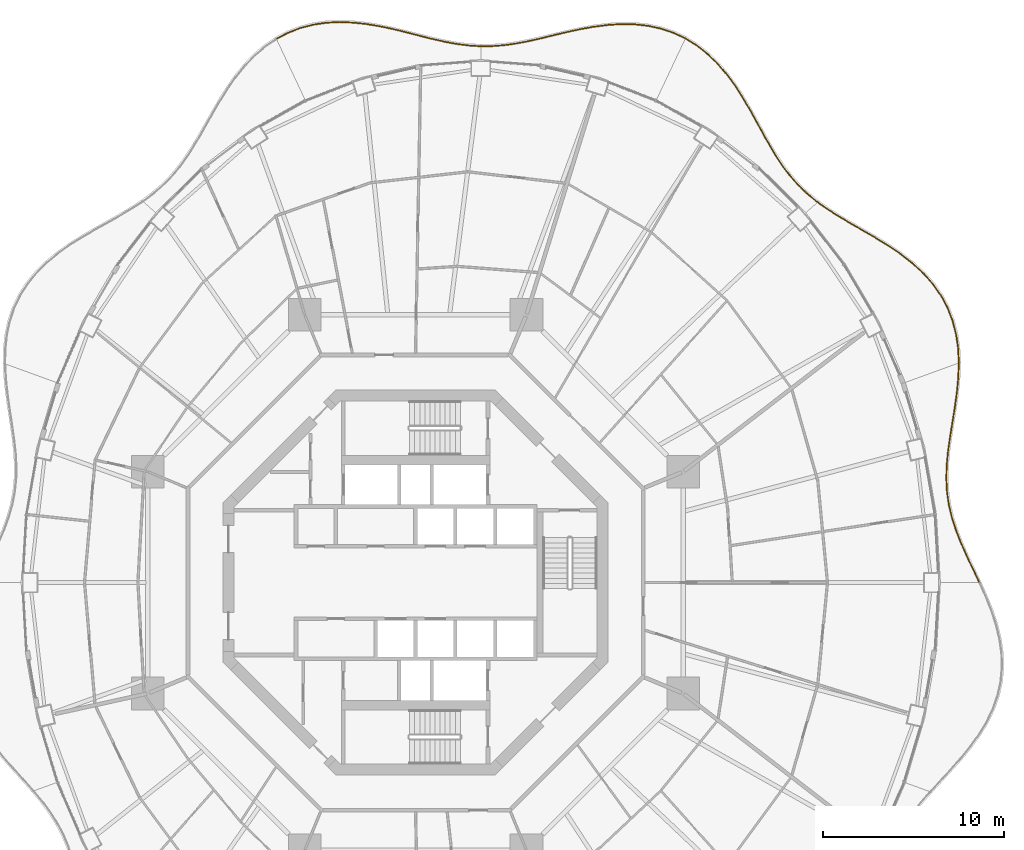
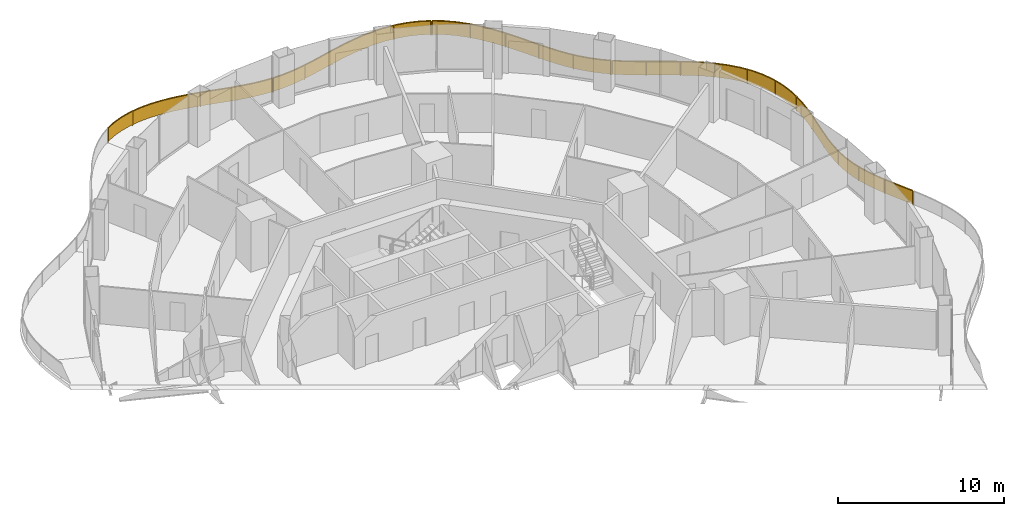
# One storey, part 19 of 19: 5 railings.
"""IFC4 building model written with IfcOpenShell, lengths in metres."""

from ifc_helpers import new_model, si_unit, direction, frame, origin, origin_2d, place, context, subcontext, project, spatial, polyline, rectangle, outline, extrude, material, type_object, element, save


model = new_model("IFC4")

# Units and contexts
model_context = context("Model", 3, precision=1e-05, world=origin(), true_north=direction((0.0, 1.0)))
body_context = subcontext(model_context, "Body", "Model", "MODEL_VIEW")
ifc_project = project(units=[si_unit("LENGTHUNIT", "METRE"), si_unit("AREAUNIT", "SQUARE_METRE"), si_unit("VOLUMEUNIT", "CUBIC_METRE"), si_unit("PLANEANGLEUNIT", "RADIAN"), si_unit("MASSUNIT", "GRAM", prefix="KILO")], contexts=[model_context])

# Site, building, storey
site_placement = place(None, origin())
site = spatial("IfcSite", under=ifc_project, at=site_placement, CompositionType="ELEMENT")
building_placement = place(site_placement, origin())
building = spatial("IfcBuilding", under=site, at=building_placement, Name="Nagisa Residences", CompositionType="ELEMENT")
storey_placement = place(building_placement, frame((0.0, 0.0, 177.0)))
storey = spatial("IfcBuildingStorey", under=building, at=storey_placement, Name="L44", CompositionType="ELEMENT", Elevation=177.0)

# Railings
ifc_material = material(Name="Stainless steel 316", Category="steel")
railing_type = type_object("IfcRailingType", Name="BALCONY GUARD 1100", PredefinedType="BALUSTRADE", material=ifc_material)
railing_1_placement = place(storey_placement, frame((31.109375, 0.0341796875, 0.0)))
element("IfcRailing", 1, at=railing_1_placement, inside=storey, type_object=railing_type, Name="guard:L44:bal00-0", PredefinedType="BALUSTRADE", context=body_context, shape_type="SweptSolid", body=[
    extrude(outline(polyline([(-0.35791015625, 0.694091796875), (-0.022705078125, -0.0107421875), (0.022705078125, 0.0107421875), (-0.3125, 0.715576171875), (-0.65771484375, 1.447265625), (-0.9775390625, 2.16650390625), (-1.256591796875, 2.876708984375), (-1.483154296875, 3.5830078125), (-1.646728515625, 4.276611328125), (-1.747314453125, 4.99072265625), (-1.783935546875, 5.71630859375), (-1.76171875, 6.457763671875), (-1.690185546875, 7.218017578125), (-1.5791015625, 7.984619140625), (-1.450439453125, 8.7841796875), (-1.319580078125, 9.600341796875), (-1.204833984375, 10.428466796875), (-1.125, 11.2626953125), (-1.096923828125, 12.048583984375), (-1.146728515625, 12.050537109375), (-1.1748046875, 11.26611328125), (-1.254638671875, 10.434326171875), (-1.368896484375, 9.607666015625), (-1.499755859375, 8.7919921875), (-1.62841796875, 7.991943359375), (-1.739990234375, 7.223876953125), (-1.8115234375, 6.460693359375), (-1.834228515625, 5.7158203125), (-1.797119140625, 4.98583984375), (-1.696044921875, 4.267333984375), (-1.531494140625, 3.56982421875), (-1.303955078125, 2.860107421875), (-1.02392578125, 2.14697265625), (-0.703125, 1.42626953125), (-0.35791015625, 0.694091796875)])), frame((0.0, 0.0, 1.050048828125)), (0.0, 0.0, 1.0), 0.050048828125),
    extrude(outline(polyline([(-0.341552734375, 0.701904296875), (-0.00634765625, -0.0029296875), (0.00634765625, 0.0029296875), (-0.328857421875, 0.707763671875), (-0.674072265625, 1.439697265625), (-0.994384765625, 2.159423828125), (-1.273681640625, 2.870849609375), (-1.50048828125, 3.578369140625), (-1.66455078125, 4.273193359375), (-1.76513671875, 4.989013671875), (-1.802001953125, 5.716064453125), (-1.779541015625, 6.458740234375), (-1.708251953125, 7.22021484375), (-1.596923828125, 7.9873046875), (-1.46826171875, 8.786865234375), (-1.33740234375, 9.60302734375), (-1.222900390625, 10.4306640625), (-1.142822265625, 11.263916015625), (-1.11474609375, 12.04931640625), (-1.12890625, 12.0498046875), (-1.156982421875, 11.264892578125), (-1.236572265625, 10.43212890625), (-1.35107421875, 9.60498046875), (-1.48193359375, 8.789306640625), (-1.610595703125, 7.9892578125), (-1.721923828125, 7.2216796875), (-1.793701171875, 6.459716796875), (-1.816162109375, 5.716064453125), (-1.779296875, 4.987548828125), (-1.67822265625, 4.270751953125), (-1.51416015625, 3.574462890625), (-1.286865234375, 2.865966796875), (-1.007080078125, 2.154052734375), (-0.686767578125, 1.433837890625), (-0.341552734375, 0.701904296875)])), frame((0.0, 0.0, 0.06005859375)), (0.0, 0.0, 1.0), 0.989990234375),
    extrude(rectangle(XDim=0.0400390625, YDim=0.0400390625, at=origin_2d()), origin(), (0.0, 0.0, 1.0), 1.050048828125),
    extrude(rectangle(XDim=0.0400390625, YDim=0.0400390625, at=origin_2d()), frame((-0.87646484375, 1.877197265625, 0.0)), (0.0, 0.0, 1.0), 1.050048828125),
    extrude(rectangle(XDim=0.0400390625, YDim=0.0400390625, at=origin_2d()), frame((-1.56640625, 3.8271484375, 0.0)), (0.0, 0.0, 1.0), 1.050048828125),
    extrude(rectangle(XDim=0.0400390625, YDim=0.0400390625, at=origin_2d()), frame((-1.80419921875, 5.878662109375, 0.0)), (0.0, 0.0, 1.0), 1.050048828125),
    extrude(rectangle(XDim=0.0400390625, YDim=0.0400390625, at=origin_2d()), frame((-1.61083984375, 7.939453125, 0.0)), (0.0, 0.0, 1.0), 1.050048828125),
    extrude(rectangle(XDim=0.0400390625, YDim=0.0400390625, at=origin_2d()), frame((-1.291259765625, 9.986328125, 0.0)), (0.0, 0.0, 1.0), 1.050048828125),
    extrude(rectangle(XDim=0.0400390625, YDim=0.0400390625, at=origin_2d()), frame((-1.121826171875, 12.049560546875, 0.0)), (0.0, 0.0, 1.0), 1.050048828125),
])
railing_2_placement = place(storey_placement, frame((29.988037109375, 12.160888671875, 0.0)))
element("IfcRailing", 2, at=railing_2_placement, inside=storey, type_object=railing_type, Name="guard:L44:bal01-0", PredefinedType="BALUSTRADE", context=body_context, shape_type="SweptSolid", body=[
    extrude(outline(polyline([(-0.057861328125, 0.7470703125), (-0.02490234375, -0.001220703125), (0.02490234375, 0.001220703125), (-0.008056640625, 0.751953125), (-0.119384765625, 1.53125), (-0.3125, 2.284912109375), (-0.59130859375, 3.005859375), (-0.955810546875, 3.6875), (-1.395263671875, 4.3125), (-1.91552734375, 4.90478515625), (-2.5, 5.451171875), (-3.135009765625, 5.953857421875), (-3.806640625, 6.418212890625), (-4.490478515625, 6.837646484375), (-5.188720703125, 7.246826171875), (-5.877685546875, 7.642578125), (-6.545654296875, 8.0361328125), (-7.181396484375, 8.438720703125), (-7.743896484375, 8.83544921875), (-7.772705078125, 8.79443359375), (-7.209228515625, 8.397216796875), (-6.571533203125, 7.99365234375), (-5.903076171875, 7.59912109375), (-5.213623046875, 7.203369140625), (-4.516357421875, 6.794677734375), (-3.833984375, 6.376220703125), (-3.164794921875, 5.913818359375), (-2.53271484375, 5.4130859375), (-1.95166015625, 4.8701171875), (-1.434814453125, 4.28173828125), (-0.998291015625, 3.6611328125), (-0.63671875, 2.98486328125), (-0.3603515625, 2.269775390625), (-0.168701171875, 1.521484375), (-0.057861328125, 0.7470703125)])), frame((0.0, 0.0, 1.050048828125)), (0.0, 0.0, 1.0), 0.050048828125),
    extrude(outline(polyline([(-0.0400390625, 0.748779296875), (-0.007080078125, -0.000244140625), (0.007080078125, 0.000244140625), (-0.02587890625, 0.750244140625), (-0.13720703125, 1.52783203125), (-0.329833984375, 2.279541015625), (-0.607666015625, 2.998291015625), (-0.97119140625, 3.677978515625), (-1.409423828125, 4.301513671875), (-1.928466796875, 4.892333984375), (-2.51171875, 5.4375), (-3.145751953125, 5.939453125), (-3.81640625, 6.403076171875), (-4.499755859375, 6.822265625), (-5.19775390625, 7.231201171875), (-5.886962890625, 7.626953125), (-6.554931640625, 8.020751953125), (-7.19140625, 8.423828125), (-7.754150390625, 8.820556640625), (-7.762451171875, 8.809326171875), (-7.19921875, 8.412109375), (-6.562255859375, 8.009033203125), (-5.893798828125, 7.61474609375), (-5.20458984375, 7.218994140625), (-4.507080078125, 6.81005859375), (-3.82421875, 6.391357421875), (-3.154052734375, 5.92822265625), (-2.52099609375, 5.4267578125), (-1.938720703125, 4.882568359375), (-1.420654296875, 4.292724609375), (-0.98291015625, 3.670654296875), (-0.620361328125, 2.992431640625), (-0.343017578125, 2.275146484375), (-0.15087890625, 1.52490234375), (-0.0400390625, 0.748779296875)])), frame((0.0, 0.0, 0.06005859375)), (0.0, 0.0, 1.0), 0.989990234375),
    extrude(rectangle(XDim=0.0400390625, YDim=0.0400390625, at=origin_2d()), origin(), (0.0, 0.0, 1.0), 1.050048828125),
    extrude(rectangle(XDim=0.0400390625, YDim=0.0400390625, at=origin_2d()), frame((-0.277587890625, 2.048095703125, 0.0)), (0.0, 0.0, 1.0), 1.050048828125),
    extrude(rectangle(XDim=0.0400390625, YDim=0.0400390625, at=origin_2d()), frame((-1.14794921875, 3.917236328125, 0.0)), (0.0, 0.0, 1.0), 1.050048828125),
    extrude(rectangle(XDim=0.0400390625, YDim=0.0400390625, at=origin_2d()), frame((-2.53662109375, 5.447998046875, 0.0)), (0.0, 0.0, 1.0), 1.050048828125),
    extrude(rectangle(XDim=0.0400390625, YDim=0.0400390625, at=origin_2d()), frame((-4.22607421875, 6.64599609375, 0.0)), (0.0, 0.0, 1.0), 1.050048828125),
    extrude(rectangle(XDim=0.0400390625, YDim=0.0400390625, at=origin_2d()), frame((-6.01513671875, 7.6943359375, 0.0)), (0.0, 0.0, 1.0), 1.050048828125),
    extrude(rectangle(XDim=0.0400390625, YDim=0.0400390625, at=origin_2d()), frame((-7.75830078125, 8.81494140625, 0.0)), (0.0, 0.0, 1.0), 1.050048828125),
])
railing_3_placement = place(storey_placement, frame((22.172119140625, 21.016845703125, 0.0)))
element("IfcRailing", 3, at=railing_3_placement, inside=storey, type_object=railing_type, Name="guard:L44:bal02-0", PredefinedType="BALUSTRADE", context=body_context, shape_type="SweptSolid", body=[
    extrude(outline(polyline([(-0.5126953125, 0.38330078125), (-0.015869140625, -0.01953125), (0.015869140625, 0.01953125), (-0.4794921875, 0.4208984375), (-0.967529296875, 0.881591796875), (-1.417236328125, 1.379150390625), (-1.83349609375, 1.915771484375), (-2.222412109375, 2.491455078125), (-2.581298828125, 3.092529296875), (-2.943359375, 3.73486328125), (-3.306884765625, 4.39892578125), (-3.6826171875, 5.074462890625), (-4.080322265625, 5.749755859375), (-4.494873046875, 6.403076171875), (-4.960205078125, 7.037109375), (-5.468994140625, 7.630859375), (-6.02392578125, 8.1708984375), (-6.625732421875, 8.646484375), (-7.230712890625, 9.02294921875), (-7.257080078125, 8.98046875), (-6.654541015625, 8.60546875), (-6.05712890625, 8.13330078125), (-5.505615234375, 7.5966796875), (-4.999267578125, 7.005859375), (-4.536376953125, 6.374755859375), (-4.122802734375, 5.723876953125), (-3.72607421875, 5.049560546875), (-3.350830078125, 4.37451171875), (-2.9873046875, 3.71044921875), (-2.624755859375, 3.067626953125), (-2.264892578125, 2.464599609375), (-1.8740234375, 1.886474609375), (-1.455810546875, 1.346923828125), (-1.003173828125, 0.846435546875), (-0.5126953125, 0.38330078125)])), frame((0.0, 0.0, 1.050048828125)), (0.0, 0.0, 1.0), 0.050048828125),
    extrude(outline(polyline([(-0.500732421875, 0.396728515625), (-0.00439453125, -0.00537109375), (0.00439453125, 0.00537109375), (-0.491455078125, 0.407470703125), (-0.980224609375, 0.868896484375), (-1.43115234375, 1.367431640625), (-1.84814453125, 1.9052734375), (-2.23779296875, 2.481689453125), (-2.596923828125, 3.08349609375), (-2.959228515625, 3.72607421875), (-3.32275390625, 4.39013671875), (-3.6982421875, 5.0654296875), (-4.095703125, 5.740478515625), (-4.509765625, 6.392822265625), (-4.974365234375, 7.02587890625), (-5.482177734375, 7.61865234375), (-6.035888671875, 8.157470703125), (-6.635986328125, 8.631591796875), (-7.240234375, 9.007568359375), (-7.24755859375, 8.995849609375), (-6.644287109375, 8.620361328125), (-6.045166015625, 8.146728515625), (-5.492431640625, 7.60888671875), (-4.985107421875, 7.01708984375), (-4.521484375, 6.385009765625), (-4.107421875, 5.733154296875), (-3.71044921875, 5.05859375), (-3.3349609375, 4.38330078125), (-2.971435546875, 3.71923828125), (-2.609130859375, 3.07666015625), (-2.24951171875, 2.474365234375), (-1.859375, 1.89697265625), (-1.44189453125, 1.358642578125), (-0.990478515625, 0.859130859375), (-0.500732421875, 0.396728515625)])), frame((0.0, 0.0, 0.06005859375)), (0.0, 0.0, 1.0), 0.989990234375),
    extrude(rectangle(XDim=0.0400390625, YDim=0.0400390625, at=origin_2d()), origin(), (0.0, 0.0, 1.0), 1.050048828125),
    extrude(rectangle(XDim=0.0400390625, YDim=0.0400390625, at=origin_2d()), frame((-1.654296875, 1.643798828125, 0.0)), (0.0, 0.0, 1.0), 1.050048828125),
    extrude(rectangle(XDim=0.0400390625, YDim=0.0400390625, at=origin_2d()), frame((-2.90576171875, 3.616943359375, 0.0)), (0.0, 0.0, 1.0), 1.050048828125),
    extrude(rectangle(XDim=0.0400390625, YDim=0.0400390625, at=origin_2d()), frame((-4.053466796875, 5.6552734375, 0.0)), (0.0, 0.0, 1.0), 1.050048828125),
    extrude(rectangle(XDim=0.0400390625, YDim=0.0400390625, at=origin_2d()), frame((-5.42724609375, 7.543701171875, 0.0)), (0.0, 0.0, 1.0), 1.050048828125),
    extrude(rectangle(XDim=0.0400390625, YDim=0.0400390625, at=origin_2d()), frame((-7.243896484375, 9.001708984375, 0.0)), (0.0, 0.0, 1.0), 1.050048828125),
])
railing_4_placement = place(storey_placement, frame((14.860107421875, 30.055419921875, 0.0)))
element("IfcRailing", 4, at=railing_4_placement, inside=storey, type_object=railing_type, Name="guard:L44:bal03-0", PredefinedType="BALUSTRADE", context=body_context, shape_type="SweptSolid", body=[
    extrude(outline(polyline([(-0.6259765625, 0.267333984375), (-0.0107421875, -0.022705078125), (0.0107421875, 0.022705078125), (-0.607421875, 0.313720703125), (-1.30322265625, 0.548095703125), (-2.02587890625, 0.705078125), (-2.768798828125, 0.787353515625), (-3.5244140625, 0.80126953125), (-4.268310546875, 0.7490234375), (-5.02783203125, 0.65185546875), (-5.77978515625, 0.516845703125), (-6.52001953125, 0.3564453125), (-7.244873046875, 0.18505859375), (-7.935302734375, 0.012939453125), (-8.626220703125, -0.141845703125), (-9.3017578125, -0.270263671875), (-9.96435546875, -0.364013671875), (-10.61865234375, -0.416259765625), (-11.22607421875, -0.4228515625), (-11.2255859375, -0.47265625), (-10.6162109375, -0.466064453125), (-9.958984375, -0.413818359375), (-9.29345703125, -0.319580078125), (-8.615966796875, -0.190673828125), (-7.923583984375, -0.035888671875), (-7.233154296875, 0.13623046875), (-6.5087890625, 0.3076171875), (-5.77001953125, 0.467529296875), (-5.02001953125, 0.6025390625), (-4.263427734375, 0.69921875), (-3.52294921875, 0.7509765625), (-2.772216796875, 0.737548828125), (-2.0341796875, 0.65576171875), (-1.31640625, 0.499755859375), (-0.6259765625, 0.267333984375)])), frame((0.0, 0.0, 1.050048828125)), (0.0, 0.0, 1.0), 0.050048828125),
    extrude(outline(polyline([(-0.619384765625, 0.283935546875), (-0.0029296875, -0.00634765625), (0.0029296875, 0.00634765625), (-0.614013671875, 0.297119140625), (-1.307861328125, 0.53076171875), (-2.02880859375, 0.687255859375), (-2.77001953125, 0.76953125), (-3.52392578125, 0.783203125), (-4.2666015625, 0.731201171875), (-5.02490234375, 0.634033203125), (-5.7763671875, 0.4990234375), (-6.515869140625, 0.3388671875), (-7.24072265625, 0.16748046875), (-7.93115234375, -0.004638671875), (-8.62255859375, -0.159423828125), (-9.298828125, -0.2880859375), (-9.96240234375, -0.3818359375), (-10.61767578125, -0.43408203125), (-11.225830078125, -0.440673828125), (-11.225830078125, -0.454833984375), (-10.6171875, -0.4482421875), (-9.9609375, -0.39599609375), (-9.29638671875, -0.3017578125), (-8.61962890625, -0.173095703125), (-7.927734375, -0.018310546875), (-7.2373046875, 0.15380859375), (-6.512939453125, 0.3251953125), (-5.7734375, 0.4853515625), (-5.02294921875, 0.620361328125), (-4.26513671875, 0.717041015625), (-3.5234375, 0.76904296875), (-2.77099609375, 0.75537109375), (-2.03125, 0.673583984375), (-1.311767578125, 0.51708984375), (-0.619384765625, 0.283935546875)])), frame((0.0, 0.0, 0.06005859375)), (0.0, 0.0, 1.0), 0.989990234375),
    extrude(rectangle(XDim=0.0400390625, YDim=0.0400390625, at=origin_2d()), origin(), (0.0, 0.0, 1.0), 1.050048828125),
    extrude(rectangle(XDim=0.0400390625, YDim=0.0400390625, at=origin_2d()), frame((-2.17236328125, 0.6962890625, 0.0)), (0.0, 0.0, 1.0), 1.050048828125),
    extrude(rectangle(XDim=0.0400390625, YDim=0.0400390625, at=origin_2d()), frame((-4.458740234375, 0.699462890625, 0.0)), (0.0, 0.0, 1.0), 1.050048828125),
    extrude(rectangle(XDim=0.0400390625, YDim=0.0400390625, at=origin_2d()), frame((-6.712646484375, 0.28515625, 0.0)), (0.0, 0.0, 1.0), 1.050048828125),
    extrude(rectangle(XDim=0.0400390625, YDim=0.0400390625, at=origin_2d()), frame((-8.947509765625, -0.228271484375, 0.0)), (0.0, 0.0, 1.0), 1.050048828125),
    extrude(rectangle(XDim=0.0400390625, YDim=0.0400390625, at=origin_2d()), frame((-11.225830078125, -0.44775390625, 0.0)), (0.0, 0.0, 1.0), 1.050048828125),
])
railing_5_placement = place(storey_placement, frame((3.565673828125, 29.609619140625, 0.0)))
element("IfcRailing", 5, at=railing_5_placement, inside=storey, type_object=railing_type, Name="guard:L44:bal04-0", PredefinedType="BALUSTRADE", context=body_context, shape_type="SweptSolid", body=[
    extrude(outline(polyline([(-0.61181640625, 0.01220703125), (-0.00146484375, -0.02490234375), (0.00146484375, 0.02490234375), (-0.60693359375, 0.06201171875), (-1.263671875, 0.14501953125), (-1.93115234375, 0.2666015625), (-2.61181640625, 0.41943359375), (-3.308837890625, 0.592529296875), (-4.005615234375, 0.77734375), (-4.736328125, 0.955078125), (-5.48095703125, 1.114990234375), (-6.23583984375, 1.2431640625), (-6.99560546875, 1.32666015625), (-7.73779296875, 1.35986328125), (-8.48876953125, 1.322509765625), (-9.224365234375, 1.213134765625), (-9.937255859375, 1.02685546875), (-10.620849609375, 0.76220703125), (-11.22607421875, 0.443603515625), (-11.20263671875, 0.399169921875), (-10.599853515625, 0.716796875), (-9.921630859375, 0.97900390625), (-9.214111328125, 1.163818359375), (-8.48388671875, 1.272705078125), (-7.73779296875, 1.3095703125), (-6.99951171875, 1.27685546875), (-6.24267578125, 1.193359375), (-5.490234375, 1.065673828125), (-4.74755859375, 0.90625), (-4.017822265625, 0.72900390625), (-3.321533203125, 0.544189453125), (-2.62353515625, 0.37060546875), (-1.94091796875, 0.2177734375), (-1.271484375, 0.095703125), (-0.61181640625, 0.01220703125)])), frame((0.0, 0.0, 1.050048828125)), (0.0, 0.0, 1.0), 0.050048828125),
    extrude(outline(polyline([(-0.610107421875, 0.030029296875), (-0.00048828125, -0.007080078125), (0.00048828125, 0.007080078125), (-0.608642578125, 0.044189453125), (-1.2666015625, 0.127197265625), (-1.9345703125, 0.2490234375), (-2.615966796875, 0.40185546875), (-3.3134765625, 0.5751953125), (-4.010009765625, 0.760009765625), (-4.740478515625, 0.9375), (-5.484375, 1.09716796875), (-6.23828125, 1.22509765625), (-6.9970703125, 1.308837890625), (-7.73779296875, 1.341796875), (-8.487060546875, 1.3046875), (-9.220703125, 1.1953125), (-9.931640625, 1.009521484375), (-10.61328125, 0.745849609375), (-11.217529296875, 0.427490234375), (-11.211181640625, 0.415283203125), (-10.607421875, 0.733154296875), (-9.92724609375, 0.996337890625), (-9.2177734375, 1.181640625), (-8.485595703125, 1.29052734375), (-7.73779296875, 1.32763671875), (-6.998046875, 1.294677734375), (-6.240234375, 1.21142578125), (-5.48681640625, 1.08349609375), (-4.743408203125, 0.923828125), (-4.013427734375, 0.746337890625), (-3.31689453125, 0.5615234375), (-2.619384765625, 0.38818359375), (-1.9375, 0.2353515625), (-1.2685546875, 0.113525390625), (-0.610107421875, 0.030029296875)])), frame((0.0, 0.0, 0.06005859375)), (0.0, 0.0, 1.0), 0.989990234375),
    extrude(rectangle(XDim=0.0400390625, YDim=0.0400390625, at=origin_2d()), origin(), (0.0, 0.0, 1.0), 1.050048828125),
    extrude(rectangle(XDim=0.0400390625, YDim=0.0400390625, at=origin_2d()), frame((-2.27587890625, 0.318359375, 0.0)), (0.0, 0.0, 1.0), 1.050048828125),
    extrude(rectangle(XDim=0.0400390625, YDim=0.0400390625, at=origin_2d()), frame((-4.509521484375, 0.874267578125, 0.0)), (0.0, 0.0, 1.0), 1.050048828125),
    extrude(rectangle(XDim=0.0400390625, YDim=0.0400390625, at=origin_2d()), frame((-6.7734375, 1.277099609375, 0.0)), (0.0, 0.0, 1.0), 1.050048828125),
    extrude(rectangle(XDim=0.0400390625, YDim=0.0400390625, at=origin_2d()), frame((-9.06591796875, 1.21142578125, 0.0)), (0.0, 0.0, 1.0), 1.050048828125),
    extrude(rectangle(XDim=0.0400390625, YDim=0.0400390625, at=origin_2d()), frame((-11.21435546875, 0.42138671875, 0.0)), (0.0, 0.0, 1.0), 1.050048828125),
])

save(model, "model.ifc")
